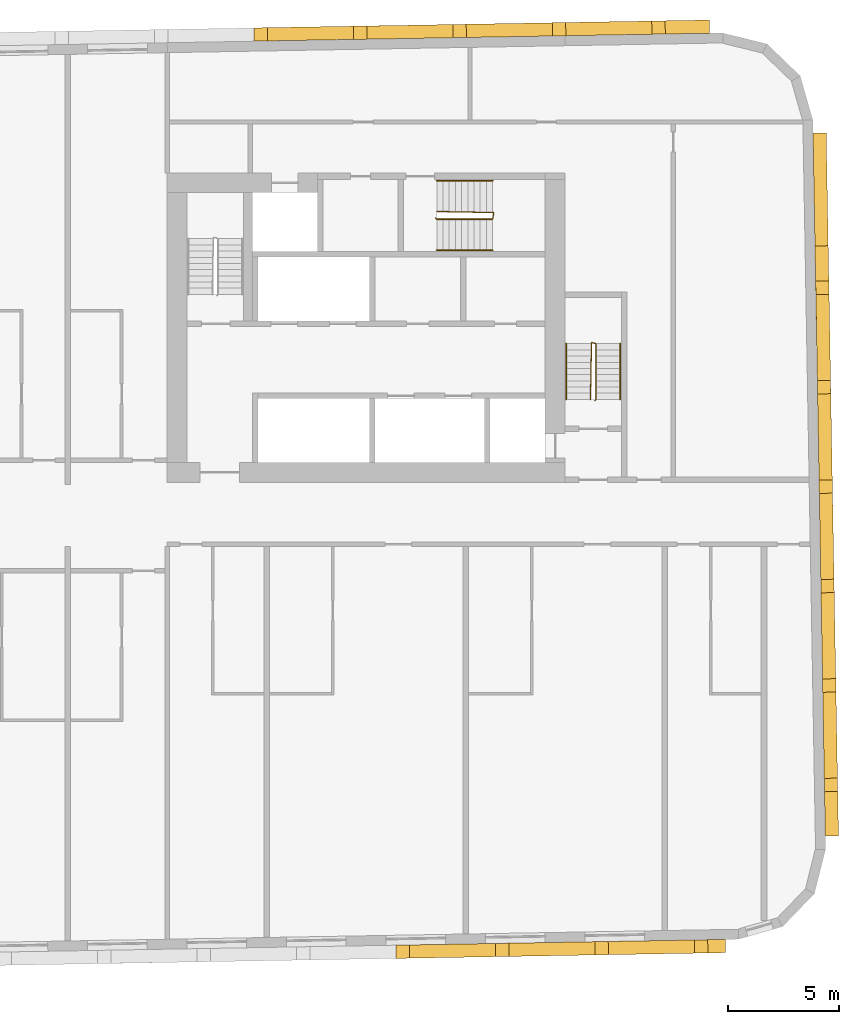
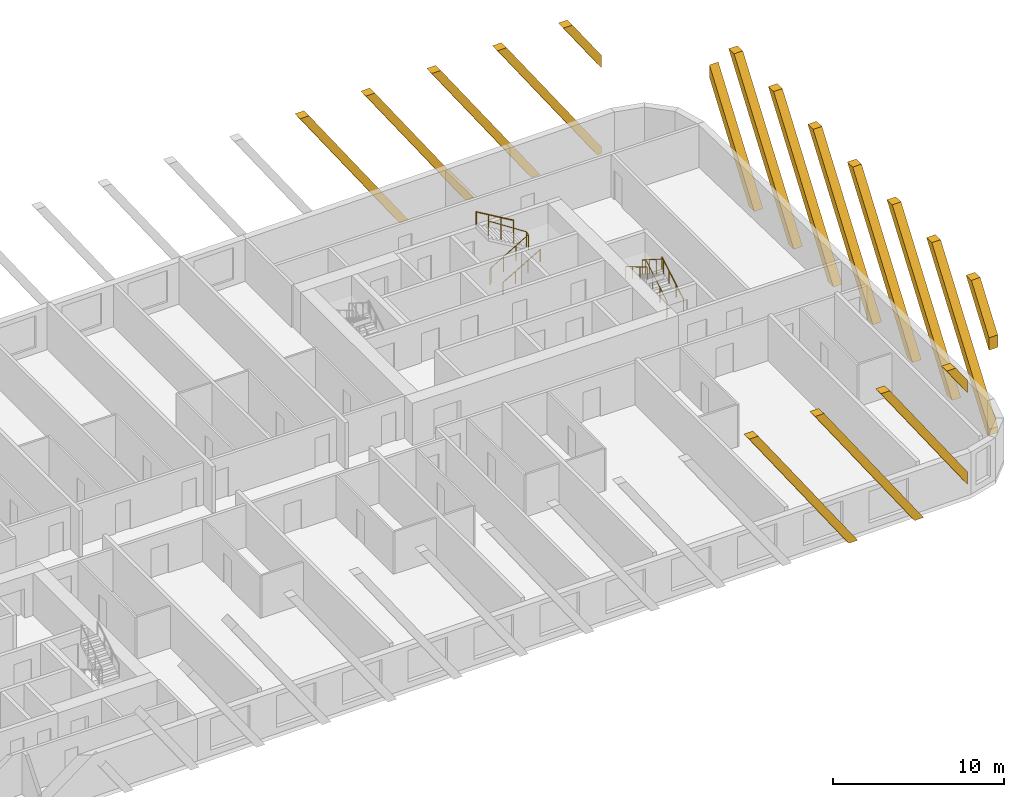
# One storey, part 12 of 12: 17 coverings, 6 railings.
"""IFC4 building model written with IfcOpenShell, lengths in metres."""

from ifc_helpers import new_model, si_unit, direction, frame, origin, origin_2d, place, context, subcontext, project, spatial, polyline, rectangle, circle, outline, extrude, material, material_profile, profile_set, type_object, element, save


model = new_model("IFC4")

# Units and contexts
model_context = context("Model", 3, precision=1e-05, world=origin(), true_north=direction((0.0, 1.0)))
body_context = subcontext(model_context, "Body", "Model", "MODEL_VIEW")
ifc_project = project(units=[si_unit("LENGTHUNIT", "METRE"), si_unit("AREAUNIT", "SQUARE_METRE"), si_unit("VOLUMEUNIT", "CUBIC_METRE"), si_unit("PLANEANGLEUNIT", "RADIAN"), si_unit("MASSUNIT", "GRAM", prefix="KILO")], contexts=[model_context])

# Site, building, storey
site_placement = place(None, origin())
site = spatial("IfcSite", under=ifc_project, at=site_placement, CompositionType="ELEMENT")
building_placement = place(site_placement, origin())
building = spatial("IfcBuilding", under=site, at=building_placement, Name="Kajstack Hotel Tower", CompositionType="ELEMENT")
storey_placement = place(building_placement, frame((0.0, 0.0, 217.699951171875)))
storey = spatial("IfcBuildingStorey", under=building, at=storey_placement, Name="L52", CompositionType="ELEMENT", Elevation=217.699951171875)

# Coverings
ifc_material_1 = material(Name="Terracotta", Category="masonry")
ifc_material_profile = material_profile(ifc_material_1, rectangle(XDim=0.60009765625, YDim=0.5, at=origin_2d()), Name="Terracotta-clad concrete baguette 500 x 600")
ifc_profile_set = profile_set([ifc_material_profile], Name="Terracotta")
covering_type = type_object("IfcCoveringType", Name="BAGUETTE 500x600", PredefinedType="CLADDING", material=ifc_profile_set)
covering_1_placement = place(storey_placement, frame((23.84716796875, -19.439208984375, 0.0), z_axis=(0.017498337962, -0.999846892363, 0.0), x_axis=(0.999846892363, 0.017498337962, 0.0)))
element("IfcCovering", 1, at=covering_1_placement, inside=storey, type_object=covering_type, Name="Baguette L52-04-052", PredefinedType="CLADDING", context=body_context, shape_type="SweptSolid", body=[
    extrude(outline(polyline([(0.0, 9.89990234375), (6.80419921875, 0.0), (7.410888671875, 0.0), (0.606689453125, 9.89990234375), (0.0, 9.89990234375)])), origin(), (0.0, 0.0, 1.0), 0.599853515625),
])
covering_2_placement = place(storey_placement, frame((28.346435546875, -19.360595703125, 0.0), z_axis=(0.017491221207, -0.999847016888, 0.0), x_axis=(0.999847016888, 0.017491221207, 0.0)))
element("IfcCovering", 2, at=covering_2_placement, inside=storey, type_object=covering_type, Name="Baguette L52-04-056", PredefinedType="CLADDING", context=body_context, shape_type="SweptSolid", body=[
    extrude(outline(polyline([(0.0, 9.89990234375), (6.80419921875, 0.0), (7.410888671875, 0.0), (0.606689453125, 9.89990234375), (0.0, 9.89990234375)])), origin(), (0.0, 0.0, 1.0), 0.60009765625),
])
covering_3_placement = place(storey_placement, frame((32.845947265625, -19.2822265625, 0.0), z_axis=(0.017498337962, -0.999846892363, 0.0), x_axis=(0.999846892363, 0.017498337962, 0.0)))
element("IfcCovering", 3, at=covering_3_placement, inside=storey, type_object=covering_type, Name="Baguette L52-04-060", PredefinedType="CLADDING", context=body_context, shape_type="SweptSolid", body=[
    extrude(outline(polyline([(0.0, 9.89990234375), (5.907470703125, 1.3046875), (5.907470703125, 2.1875), (0.606689453125, 9.89990234375), (0.0, 9.89990234375)])), origin(), (0.0, 0.0, 1.0), 0.599853515625),
])
covering_4_placement = place(storey_placement, frame((37.34521484375, -19.20361328125, 0.0), z_axis=(0.017498337962, -0.999846892363, 0.0), x_axis=(0.999846892363, 0.017498337962, 0.0)))
element("IfcCovering", 4, at=covering_4_placement, inside=storey, type_object=covering_type, Name="Baguette L52-04-064", PredefinedType="CLADDING", context=body_context, shape_type="SweptSolid", body=[
    extrude(outline(polyline([(0.0, 9.89990234375), (1.407470703125, 7.85205078125), (1.407470703125, 8.73486328125), (0.606689453125, 9.89990234375), (0.0, 9.89990234375)])), origin(), (0.0, 0.0, 1.0), 0.599853515625),
])
covering_5_placement = place(storey_placement, frame((43.271484375, -14.49951171875, 0.0), z_axis=(0.999846892363, 0.017498337962, 0.0), x_axis=(-0.017498337962, 0.999846892363, 0.0)))
element("IfcCovering", 5, at=covering_5_placement, inside=storey, type_object=covering_type, Name="Baguette L52-08-000", PredefinedType="CLADDING", context=body_context, shape_type="SweptSolid", body=[
    extrude(outline(polyline([(2.000732421875, 9.89990234375), (0.0, 6.989013671875), (0.0, 6.106201171875), (2.607421875, 9.89990234375), (2.000732421875, 9.89990234375)])), origin(), (0.0, 0.0, 1.0), 0.599853515625),
])
covering_6_placement = place(storey_placement, frame((43.271484375, -14.49951171875, 0.0), z_axis=(0.999846892363, 0.017498337962, 0.0), x_axis=(-0.017498337962, 0.999846892363, 0.0)))
element("IfcCovering", 6, at=covering_6_placement, inside=storey, type_object=covering_type, Name="Baguette L52-08-004", PredefinedType="CLADDING", context=body_context, shape_type="SweptSolid", body=[
    extrude(outline(polyline([(6.500732421875, 9.89990234375), (0.0, 0.44140625), (0.0, 0.0), (0.303466796875, 0.0), (7.107421875, 9.89990234375), (6.500732421875, 9.89990234375)])), origin(), (0.0, 0.0, 1.0), 0.599853515625),
])
for number, where, z_axis, x_axis, name in (
    (7, (43.1982421875, -10.303466796875, 0.0), (0.999846892363, 0.017498337962, 0.0), (-0.017498337962, 0.999846892363, 0.0), "Baguette L52-08-008"),
    (8, (43.11962890625, -5.80419921875, 0.0), (0.999846892363, 0.017498337962, 0.0), (-0.017498337962, 0.999846892363, 0.0), "Baguette L52-08-012"),
):
    element("IfcCovering", number, at=place(storey_placement, frame(where, z_axis=z_axis, x_axis=x_axis)), inside=storey, type_object=covering_type, Name=name, PredefinedType="CLADDING", context=body_context, shape_type="SweptSolid", body=[
        extrude(outline(polyline([(6.80419921875, 9.89990234375), (0.0, 0.0), (0.606689453125, 0.0), (7.410888671875, 9.89990234375), (6.80419921875, 9.89990234375)])), origin(), (0.0, 0.0, 1.0), 0.599853515625),
    ])
covering_7_placement = place(storey_placement, frame((43.041015625, -1.304931640625, 0.0), z_axis=(0.999847016888, 0.017491221207, 0.0), x_axis=(-0.017491221207, 0.999847016888, 0.0)))
element("IfcCovering", 9, at=covering_7_placement, inside=storey, type_object=covering_type, Name="Baguette L52-08-016", PredefinedType="CLADDING", context=body_context, shape_type="SweptSolid", body=[
    extrude(outline(polyline([(6.80419921875, 9.89990234375), (0.0, 0.0), (0.606689453125, 0.0), (7.410888671875, 9.89990234375), (6.80419921875, 9.89990234375)])), origin(), (0.0, 0.0, 1.0), 0.60009765625),
])
for number, where, z_axis, x_axis, name in (
    (10, (42.962646484375, 3.194580078125, 0.0), (0.999853929301, 0.017091520159, 0.0), (-0.017091520159, 0.999853929301, 0.0), "Baguette L52-08-020"),
    (11, (42.884033203125, 7.69384765625, 0.0), (0.999846892363, 0.017498337962, 0.0), (-0.017498337962, 0.999846892363, 0.0), "Baguette L52-08-024"),
):
    element("IfcCovering", number, at=place(storey_placement, frame(where, z_axis=z_axis, x_axis=x_axis)), inside=storey, type_object=covering_type, Name=name, PredefinedType="CLADDING", context=body_context, shape_type="SweptSolid", body=[
        extrude(outline(polyline([(6.80419921875, 9.89990234375), (0.0, 0.0), (0.606689453125, 0.0), (7.410888671875, 9.89990234375), (6.80419921875, 9.89990234375)])), origin(), (0.0, 0.0, 1.0), 0.599853515625),
    ])
covering_8_placement = place(storey_placement, frame((42.805419921875, 12.193115234375, 0.0), z_axis=(0.999846892363, 0.017498337962, 0.0), x_axis=(-0.017498337962, 0.999846892363, 0.0)))
element("IfcCovering", 12, at=covering_8_placement, inside=storey, type_object=covering_type, Name="Baguette L52-08-028", PredefinedType="CLADDING", context=body_context, shape_type="SweptSolid", body=[
    extrude(outline(polyline([(0.606689453125, 0.0), (5.103271484375, 6.542724609375), (5.103271484375, 7.425537109375), (0.0, 0.0), (0.606689453125, 0.0)])), origin(), (0.0, 0.0, 1.0), 0.599853515625),
])
covering_9_placement = place(storey_placement, frame((38.036865234375, 21.814697265625, 0.0), z_axis=(-0.017498337962, 0.999846892363, 0.0), x_axis=(-0.999846892363, -0.017498337962, 0.0)))
element("IfcCovering", 13, at=covering_9_placement, inside=storey, type_object=covering_type, Name="Baguette L52-12-000", PredefinedType="CLADDING", context=body_context, shape_type="SweptSolid", body=[
    extrude(outline(polyline([(2.000732421875, 9.89990234375), (0.0, 6.989013671875), (0.0, 6.106201171875), (2.607421875, 9.89990234375), (2.000732421875, 9.89990234375)])), origin(), (0.0, 0.0, 1.0), 0.599853515625),
])
covering_10_placement = place(storey_placement, frame((38.036865234375, 21.814697265625, 0.0), z_axis=(-0.017498337962, 0.999846892363, 0.0), x_axis=(-0.999846892363, -0.017498337962, 0.0)))
element("IfcCovering", 14, at=covering_10_placement, inside=storey, type_object=covering_type, Name="Baguette L52-12-004", PredefinedType="CLADDING", context=body_context, shape_type="SweptSolid", body=[
    extrude(outline(polyline([(6.500732421875, 9.89990234375), (0.0, 0.44140625), (0.0, 0.0), (0.303466796875, 0.0), (7.107421875, 9.89990234375), (6.500732421875, 9.89990234375)])), origin(), (0.0, 0.0, 1.0), 0.599853515625),
])
covering_11_placement = place(storey_placement, frame((33.8408203125, 21.741455078125, 0.0), z_axis=(-0.017498337962, 0.999846892363, 0.0), x_axis=(-0.999846892363, -0.017498337962, 0.0)))
element("IfcCovering", 15, at=covering_11_placement, inside=storey, type_object=covering_type, Name="Baguette L52-12-008", PredefinedType="CLADDING", context=body_context, shape_type="SweptSolid", body=[
    extrude(outline(polyline([(6.80419921875, 9.89990234375), (0.0, 0.0), (0.606689453125, 0.0), (7.410888671875, 9.89990234375), (6.80419921875, 9.89990234375)])), origin(), (0.0, 0.0, 1.0), 0.599853515625),
])
covering_12_placement = place(storey_placement, frame((29.341552734375, 21.662841796875, 0.0), z_axis=(-0.017491221207, 0.999847016888, 0.0), x_axis=(-0.999847016888, -0.017491221207, 0.0)))
element("IfcCovering", 16, at=covering_12_placement, inside=storey, type_object=covering_type, Name="Baguette L52-12-012", PredefinedType="CLADDING", context=body_context, shape_type="SweptSolid", body=[
    extrude(outline(polyline([(6.80419921875, 9.89990234375), (0.0, 0.0), (0.606689453125, 0.0), (7.410888671875, 9.89990234375), (6.80419921875, 9.89990234375)])), origin(), (0.0, 0.0, 1.0), 0.60009765625),
])
covering_13_placement = place(storey_placement, frame((24.842041015625, 21.58447265625, 0.0), z_axis=(-0.017091520159, 0.999853929301, 0.0), x_axis=(-0.999853929301, -0.017091520159, 0.0)))
element("IfcCovering", 17, at=covering_13_placement, inside=storey, type_object=covering_type, Name="Baguette L52-12-016", PredefinedType="CLADDING", context=body_context, shape_type="SweptSolid", body=[
    extrude(outline(polyline([(6.80419921875, 9.89990234375), (0.0, 0.0), (0.606689453125, 0.0), (7.410888671875, 9.89990234375), (6.80419921875, 9.89990234375)])), origin(), (0.0, 0.0, 1.0), 0.599853515625),
])

# Railings
ifc_material_2 = material(Name="Steel S355J2", Category="steel")
railing_type_1 = type_object("IfcRailingType", Name="Stair guard 1100", PredefinedType="GUARDRAIL", material=ifc_material_2)
railing_1_placement = place(storey_placement, frame((32.85009765625, 5.199951171875, 0.0)))
element("IfcRailing", 18, at=railing_1_placement, inside=storey, type_object=railing_type_1, Name="L52 E1 stair guard 1", PredefinedType="GUARDRAIL", context=body_context, shape_type="SweptSolid", body=[
    extrude(circle(Radius=0.02392578125, at=origin_2d()), frame((0.0, 0.0, 1.076171875), z_axis=(0.277450376394, 0.278810427259, 0.919394384522), x_axis=(-0.708833529934, 0.705375805398, 0.0)), (0.0, 0.0, 1.0), 0.179443359375),
    extrude(circle(Radius=0.02392578125, at=origin_2d()), frame((0.0498046875, 0.050048828125, 1.2412109375), z_axis=(0.0, 0.86152411907, 0.507716645641), x_axis=(-1.0, 0.0, 0.0)), (0.0, 0.0, 1.0), 2.925048828125),
    extrude(circle(Radius=0.02392578125, at=origin_2d()), frame((0.0498046875, 2.570068359375, 2.72607421875), z_axis=(-0.970072785993, 0.242814311512, 0.0), x_axis=(-0.242814311512, -0.970072785993, 0.0)), (0.0, 0.0, 1.0), 0.2060546875),
    extrude(circle(Radius=0.02392578125, at=origin_2d()), frame((-0.150146484375, 2.6201171875, 2.72607421875), z_axis=(-0.016385308676, -0.841405582595, 0.540155687962), x_axis=(0.999810440751, -0.019470042781, 0.0)), (0.0, 0.0, 1.0), 3.054443359375),
    extrude(circle(Radius=0.02099609375, at=origin_2d()), origin(), (0.0, 0.0, 1.0), 1.052001953125),
    extrude(circle(Radius=0.02099609375, at=origin_2d()), frame((0.0498046875, 0.050048828125, 0.1650390625)), (0.0, 0.0, 1.0), 1.052001953125),
    extrude(circle(Radius=0.02099609375, at=origin_2d()), frame((0.0498046875, 0.89013671875, 0.66015625)), (0.0, 0.0, 1.0), 1.052001953125),
    extrude(circle(Radius=0.02099609375, at=origin_2d()), frame((0.0498046875, 1.72998046875, 1.155029296875)), (0.0, 0.0, 1.0), 1.052001953125),
    extrude(circle(Radius=0.02099609375, at=origin_2d()), frame((0.0498046875, 2.570068359375, 1.650146484375)), (0.0, 0.0, 1.0), 1.052001953125),
    extrude(circle(Radius=0.02099609375, at=origin_2d()), frame((-0.150146484375, 2.6201171875, 1.650146484375)), (0.0, 0.0, 1.0), 1.052001953125),
    extrude(circle(Radius=0.02099609375, at=origin_2d()), frame((-0.166748046875, 1.763427734375, 2.2001953125)), (0.0, 0.0, 1.0), 1.052001953125),
    extrude(circle(Radius=0.02099609375, at=origin_2d()), frame((-0.18359375, 0.90673828125, 2.75)), (0.0, 0.0, 1.0), 1.052001953125),
    extrude(circle(Radius=0.02099609375, at=origin_2d()), frame((-0.2001953125, 0.050048828125, 3.300048828125)), (0.0, 0.0, 1.0), 1.052001953125),
])
railing_2_placement = place(storey_placement, frame((25.64990234375, 13.449951171875, 0.0)))
element("IfcRailing", 19, at=railing_2_placement, inside=storey, type_object=railing_type_1, Name="L52 E3 stair guard 1", PredefinedType="GUARDRAIL", context=body_context, shape_type="SweptSolid", body=[
    extrude(circle(Radius=0.02392578125, at=origin_2d()), frame((0.0, 0.0, 1.076171875), z_axis=(0.278705021027, -0.278705021027, 0.919046801044), x_axis=(0.707106781187, 0.707106781187, 0.0)), (0.0, 0.0, 1.0), 0.1796875),
    extrude(circle(Radius=0.02392578125, at=origin_2d()), frame((0.050048828125, -0.050048828125, 1.2412109375), z_axis=(0.86152411907, 0.0, 0.507716645641), x_axis=(0.0, 1.0, 0.0)), (0.0, 0.0, 1.0), 2.925048828125),
    extrude(circle(Radius=0.02392578125, at=origin_2d()), frame((2.570068359375, -0.050048828125, 2.72607421875), z_axis=(0.164529134168, 0.986372223864, 0.0), x_axis=(-0.986372223864, 0.164529134168, 0.0)), (0.0, 0.0, 1.0), 0.30419921875),
    extrude(circle(Radius=0.02392578125, at=origin_2d()), frame((2.6201171875, 0.25, 2.72607421875), z_axis=(-0.841405582595, 0.016385308676, 0.540155687962), x_axis=(-0.019470042781, -0.999810440751, 0.0)), (0.0, 0.0, 1.0), 3.054443359375),
    extrude(circle(Radius=0.02099609375, at=origin_2d()), origin(), (0.0, 0.0, 1.0), 1.052001953125),
    extrude(circle(Radius=0.02099609375, at=origin_2d()), frame((0.050048828125, -0.050048828125, 0.1650390625)), (0.0, 0.0, 1.0), 1.052001953125),
    extrude(circle(Radius=0.02099609375, at=origin_2d()), frame((0.89013671875, -0.050048828125, 0.66015625)), (0.0, 0.0, 1.0), 1.052001953125),
    extrude(circle(Radius=0.02099609375, at=origin_2d()), frame((1.72998046875, -0.050048828125, 1.155029296875)), (0.0, 0.0, 1.0), 1.052001953125),
    extrude(circle(Radius=0.02099609375, at=origin_2d()), frame((2.570068359375, -0.050048828125, 1.650146484375)), (0.0, 0.0, 1.0), 1.052001953125),
    extrude(circle(Radius=0.02099609375, at=origin_2d()), frame((2.6201171875, 0.25, 1.650146484375)), (0.0, 0.0, 1.0), 1.052001953125),
    extrude(circle(Radius=0.02099609375, at=origin_2d()), frame((1.763427734375, 0.2666015625, 2.2001953125)), (0.0, 0.0, 1.0), 1.052001953125),
    extrude(circle(Radius=0.02099609375, at=origin_2d()), frame((0.90673828125, 0.283447265625, 2.75)), (0.0, 0.0, 1.0), 1.052001953125),
    extrude(circle(Radius=0.02099609375, at=origin_2d()), frame((0.050048828125, 0.300048828125, 3.300048828125)), (0.0, 0.0, 1.0), 1.052001953125),
])
railing_type_2 = type_object("IfcRailingType", Name="Stair handrail 900", PredefinedType="HANDRAIL", material=ifc_material_2)
railing_3_placement = place(storey_placement, frame((34.0, 5.25, 0.1650390625)))
element("IfcRailing", 20, at=railing_3_placement, inside=storey, type_object=railing_type_2, Name="L52 E1 stair handrail 1", PredefinedType="HANDRAIL", context=body_context, shape_type="SweptSolid", body=[
    extrude(circle(Radius=0.02392578125, at=origin_2d()), frame((0.0, 0.0, 0.8759765625), z_axis=(0.0, 0.86152411907, 0.507716645641), x_axis=(-1.0, 0.0, 0.0)), (0.0, 0.0, 1.0), 2.925048828125),
    extrude(circle(Radius=0.02099609375, at=origin_2d()), origin(), (0.0, 0.0, 1.0), 0.851806640625),
    extrude(circle(Radius=0.02099609375, at=origin_2d()), frame((0.0, 0.840087890625, 0.4951171875)), (0.0, 0.0, 1.0), 0.851806640625),
    extrude(circle(Radius=0.02099609375, at=origin_2d()), frame((0.0, 1.679931640625, 0.989990234375)), (0.0, 0.0, 1.0), 0.851806640625),
    extrude(circle(Radius=0.02099609375, at=origin_2d()), frame((0.0, 2.52001953125, 1.485107421875)), (0.0, 0.0, 1.0), 0.851806640625),
])
railing_4_placement = place(storey_placement, frame((31.550048828125, 7.77001953125, 1.81494140625)))
element("IfcRailing", 21, at=railing_4_placement, inside=storey, type_object=railing_type_2, Name="L52 E1 stair handrail 2", PredefinedType="HANDRAIL", context=body_context, shape_type="SweptSolid", body=[
    extrude(circle(Radius=0.02392578125, at=origin_2d()), frame((0.0, 0.0, 0.8759765625), z_axis=(0.0, -0.86152411907, 0.507716645641), x_axis=(1.0, 0.0, 0.0)), (0.0, 0.0, 1.0), 2.925048828125),
    extrude(circle(Radius=0.02099609375, at=origin_2d()), origin(), (0.0, 0.0, 1.0), 0.851806640625),
    extrude(circle(Radius=0.02099609375, at=origin_2d()), frame((0.0, -0.840087890625, 0.4951171875)), (0.0, 0.0, 1.0), 0.851806640625),
    extrude(circle(Radius=0.02099609375, at=origin_2d()), frame((0.0, -1.679931640625, 0.989990234375)), (0.0, 0.0, 1.0), 0.851806640625),
    extrude(circle(Radius=0.02099609375, at=origin_2d()), frame((0.0, -2.52001953125, 1.485107421875)), (0.0, 0.0, 1.0), 0.851806640625),
])
railing_5_placement = place(storey_placement, frame((25.699951171875, 12.0, 0.1650390625)))
element("IfcRailing", 22, at=railing_5_placement, inside=storey, type_object=railing_type_2, Name="L52 E3 stair handrail 1", PredefinedType="HANDRAIL", context=body_context, shape_type="SweptSolid", body=[
    extrude(circle(Radius=0.02392578125, at=origin_2d()), frame((0.0, 0.0, 0.8759765625), z_axis=(0.86152411907, 0.0, 0.507716645641), x_axis=(0.0, 1.0, 0.0)), (0.0, 0.0, 1.0), 2.925048828125),
    extrude(circle(Radius=0.02099609375, at=origin_2d()), origin(), (0.0, 0.0, 1.0), 0.851806640625),
    extrude(circle(Radius=0.02099609375, at=origin_2d()), frame((0.840087890625, 0.0, 0.4951171875)), (0.0, 0.0, 1.0), 0.851806640625),
    extrude(circle(Radius=0.02099609375, at=origin_2d()), frame((1.679931640625, 0.0, 0.989990234375)), (0.0, 0.0, 1.0), 0.851806640625),
    extrude(circle(Radius=0.02099609375, at=origin_2d()), frame((2.52001953125, 0.0, 1.485107421875)), (0.0, 0.0, 1.0), 0.851806640625),
])
railing_6_placement = place(storey_placement, frame((28.219970703125, 15.14990234375, 1.81494140625)))
element("IfcRailing", 23, at=railing_6_placement, inside=storey, type_object=railing_type_2, Name="L52 E3 stair handrail 2", PredefinedType="HANDRAIL", context=body_context, shape_type="SweptSolid", body=[
    extrude(circle(Radius=0.02392578125, at=origin_2d()), frame((0.0, 0.0, 0.8759765625), z_axis=(-0.86152411907, 0.0, 0.507716645641), x_axis=(0.0, -1.0, 0.0)), (0.0, 0.0, 1.0), 2.925048828125),
    extrude(circle(Radius=0.02099609375, at=origin_2d()), origin(), (0.0, 0.0, 1.0), 0.851806640625),
    extrude(circle(Radius=0.02099609375, at=origin_2d()), frame((-0.840087890625, 0.0, 0.4951171875)), (0.0, 0.0, 1.0), 0.851806640625),
    extrude(circle(Radius=0.02099609375, at=origin_2d()), frame((-1.679931640625, 0.0, 0.989990234375)), (0.0, 0.0, 1.0), 0.851806640625),
    extrude(circle(Radius=0.02099609375, at=origin_2d()), frame((-2.52001953125, 0.0, 1.485107421875)), (0.0, 0.0, 1.0), 0.851806640625),
])

save(model, "model.ifc")
